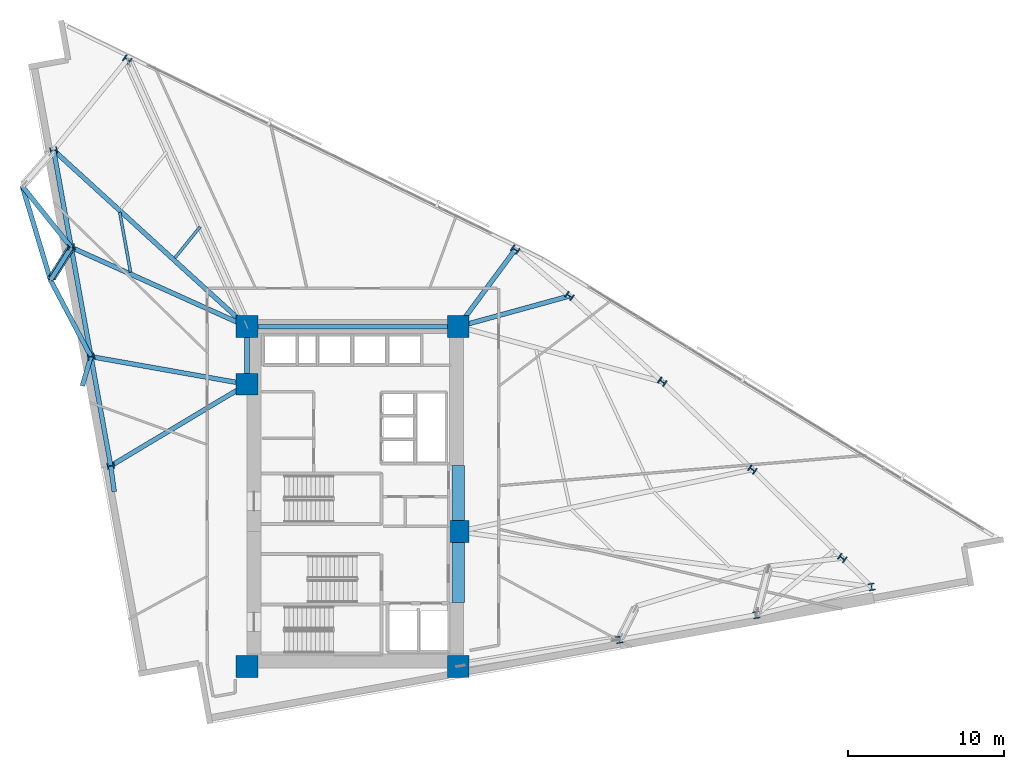
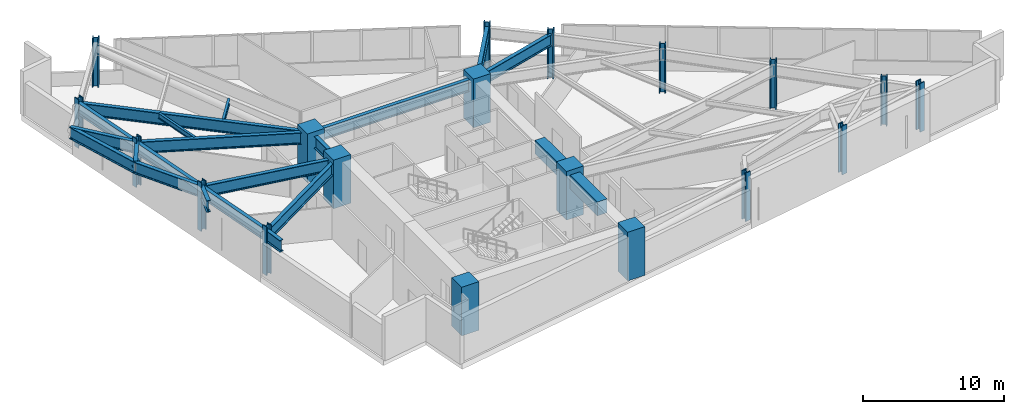
# One storey, part 1 of 19: 21 beams, 19 columns, 1 member.
"""IFC4 building model written with IfcOpenShell, lengths in metres."""

from ifc_helpers import new_model, si_unit, direction, frame, origin, origin_2d, place, context, subcontext, project, spatial, rectangle, hollow_circle, i_section, extrude, material, material_profile, profile_set, type_object, element, save


model = new_model("IFC4")

# Units and contexts
model_context = context("Model", 3, precision=1e-05, world=origin(), true_north=direction((0.0, 1.0)))
body_context = subcontext(model_context, "Body", "Model", "MODEL_VIEW")
ifc_project = project(units=[si_unit("LENGTHUNIT", "METRE"), si_unit("AREAUNIT", "SQUARE_METRE"), si_unit("VOLUMEUNIT", "CUBIC_METRE"), si_unit("PLANEANGLEUNIT", "RADIAN"), si_unit("MASSUNIT", "GRAM", prefix="KILO")], contexts=[model_context])

# Site, building, storey
site_placement = place(None, origin())
site = spatial("IfcSite", under=ifc_project, at=site_placement, CompositionType="ELEMENT")
building_placement = place(site_placement, origin())
building = spatial("IfcBuilding", under=site, at=building_placement, Name="Narakoshi Arena Tower", CompositionType="ELEMENT")
storey_placement = place(building_placement, frame((0.0, 0.0, 128.10009765625)))
storey = spatial("IfcBuildingStorey", under=building, at=storey_placement, Name="L34", CompositionType="ELEMENT", Elevation=128.10009765625)

# Columns
ifc_material_1 = material(Name="Concrete C60/75", Category="concrete")
ifc_material_profile_1 = material_profile(ifc_material_1, rectangle(XDim=1.39990234375, YDim=1.39990234375, at=origin_2d()), Name="RC1400x1400")
ifc_profile_set_1 = profile_set([ifc_material_profile_1], Name="Concrete C60/75")
column_type_1 = type_object("IfcColumnType", Name="COL-RC1400", PredefinedType="COLUMN", material=ifc_profile_set_1)
for number, where, z_axis, x_axis, name in (
    (1, (72.0, 34.699951171875, 0.0), (0.0, 0.0, 1.0), (1.0, 0.0, 0.0), "L34 Core Structural Column CC1"),
    (2, (85.550048828125, 34.699951171875, 0.0), (0.0, 0.0, 1.0), (1.0, 0.0, 0.0), "L34 Core Structural Column CC2"),
    (3, (85.550048828125, 43.35009765625, 0.0), (0.0, 0.0, 1.0), (1.0, 0.0, 0.0), "L34 Core Structural Column CC3"),
    (4, (72.0, 52.800048828125, 0.0), (0.0, 0.0, 1.0), (1.0, 0.0, 0.0), "L34 Core Structural Column CC4"),
    (5, (72.0, 56.5, 0.0), (0.0, 0.0, 1.0), (1.0, 0.0, 0.0), "L34 Core Structural Column CC5"),
    (6, (85.550048828125, 56.5, 0.0), (0.0, 0.0, 1.0), (1.0, 0.0, 0.0), "L34 Core Structural Column CC6"),
):
    element("IfcColumn", number, at=place(storey_placement, frame(where, z_axis=z_axis, x_axis=x_axis)), inside=storey, type_object=column_type_1, Name=name, PredefinedType="COLUMN", context=body_context, shape_type="SweptSolid", body=[
        extrude(rectangle(XDim=1.39990234375, YDim=1.39990234375, at=origin_2d()), origin(), (0.0, 0.0, 1.0), 4.199951171875),
    ])
ifc_material_2 = material(Name="Structural steel S460ML", Category="steel")
ifc_material_profile_2 = material_profile(ifc_material_2, i_section(OverallWidth=0.424072265625, OverallDepth=0.47412109375, WebThickness=0.047607421875, FlangeThickness=0.076904296875, FilletRadius=0.014892578125, at=origin_2d()), Name="HD400x634")
ifc_profile_set_2 = profile_set([ifc_material_profile_2], Name="Structural steel S460ML")
column_type_2 = type_object("IfcColumnType", Name="COL-STL634", PredefinedType="COLUMN", material=ifc_profile_set_2)
for number, where, z_axis, x_axis, name in (
    (7, (95.89013671875, 36.411865234375, 0.0), (0.0, 0.0, 1.0), (0.984040697646, 0.177943545474, 0.0), "L34 Tower Perimeter Column TC02"),
    (8, (104.681396484375, 38.00146484375, 0.0), (0.0, 0.0, 1.0), (0.984040697646, 0.177943545474, 0.0), "L34 Tower Perimeter Column TC03"),
    (9, (112.0703125, 39.7978515625, 0.0), (0.0, 0.0, 1.0), (0.984040697646, 0.177943545474, 0.0), "L34 Tower Perimeter Column TC04"),
    (10, (110.189208984375, 41.650146484375, 0.0), (0.0, 0.0, 1.0), (0.569996762596, 0.821646937942, 0.0), "L34 Tower Perimeter Column TC05"),
    (11, (104.42041015625, 47.33056640625, 0.0), (0.0, 0.0, 1.0), (0.569996762596, 0.821646937942, 0.0), "L34 Tower Perimeter Column TC06"),
    (12, (98.641357421875, 52.95849609375, 0.0), (0.0, 0.0, 1.0), (0.569996762596, 0.821646937942, 0.0), "L34 Tower Perimeter Column TC07"),
    (13, (92.68994140625, 58.462890625, 0.0), (0.0, 0.0, 1.0), (0.569996762596, 0.821646937942, 0.0), "L34 Tower Perimeter Column TC08"),
    (14, (89.206787109375, 61.437744140625, 0.0), (0.0, 0.0, 1.0), (0.569996762596, 0.821646937942, 0.0), "L34 Tower Perimeter Column TC09"),
    (15, (64.31787109375, 73.633056640625, 0.0), (0.0, 0.0, 1.0), (0.569996762596, 0.821646937942, 0.0), "L34 Tower Perimeter Column TC11"),
    (16, (59.593505859375, 67.81591796875, 0.0), (0.0, 0.0, 1.0), (-0.177943545474, 0.984040697646, 0.0), "L34 Tower Perimeter Column TC13"),
    (17, (60.72021484375, 61.585205078125, 0.0), (0.0, 0.0, 1.0), (-0.177943545474, 0.984040697646, 0.0), "L34 Tower Perimeter Column TC14"),
    (18, (61.98779296875, 54.575439453125, 0.0), (0.0, 0.0, 1.0), (-0.177943545474, 0.984040697646, 0.0), "L34 Tower Perimeter Column TC15"),
    (19, (63.25537109375, 47.56591796875, 0.0), (0.0, 0.0, 1.0), (-0.177943545474, 0.984040697646, 0.0), "L34 Tower Perimeter Column TC16"),
):
    element("IfcColumn", number, at=place(storey_placement, frame(where, z_axis=z_axis, x_axis=x_axis)), inside=storey, type_object=column_type_2, Name=name, PredefinedType="COLUMN", context=body_context, shape_type="SweptSolid", body=[
        extrude(i_section(OverallWidth=0.424072265625, OverallDepth=0.47412109375, WebThickness=0.047607421875, FlangeThickness=0.076904296875, FilletRadius=0.014892578125, at=origin_2d()), origin(), (0.0, 0.0, 1.0), 4.199951171875),
    ])

# Beams
ifc_material_profile_3 = material_profile(ifc_material_1, rectangle(XDim=0.800048828125, YDim=1.199951171875, at=origin_2d()), Name="RCB800x1200")
ifc_profile_set_3 = profile_set([ifc_material_profile_3], Name="Concrete C60/75")
beam_type_1 = type_object("IfcBeamType", Name="BM-CPL-1200", PredefinedType="LINTEL", material=ifc_profile_set_3)
beam_1_placement = place(storey_placement, frame((85.550048828125, 38.800048828125, 3.199951171875), z_axis=(0.0, 1.0, 0.0), x_axis=(-1.0, 0.0, 0.0)))
element("IfcBeam", 20, at=beam_1_placement, inside=storey, type_object=beam_type_1, Name="L34 Core Seismic Coupling Beam 1", PredefinedType="LINTEL", context=body_context, shape_type="SweptSolid", body=[
    extrude(rectangle(XDim=0.800048828125, YDim=1.199951171875, at=origin_2d()), origin(), (0.0, 0.0, 1.0), 4.550048828125),
])
beam_2_placement = place(storey_placement, frame((85.550048828125, 43.35009765625, 3.199951171875), z_axis=(0.0, 1.0, 0.0), x_axis=(-1.0, 0.0, 0.0)))
element("IfcBeam", 21, at=beam_2_placement, inside=storey, type_object=beam_type_1, Name="L34 Core Seismic Coupling Beam 2", PredefinedType="LINTEL", context=body_context, shape_type="SweptSolid", body=[
    extrude(rectangle(XDim=0.800048828125, YDim=1.199951171875, at=origin_2d()), origin(), (0.0, 0.0, 1.0), 4.25),
])
ifc_material_3 = material(Name="Structural steel S355J2", Category="steel")
ifc_material_profile_4 = material_profile(ifc_material_3, i_section(OverallWidth=0.18994140625, OverallDepth=0.449951171875, WebThickness=0.009521484375, FlangeThickness=0.0146484375, FilletRadius=0.02099609375, at=origin_2d()), Name="IPE450")
ifc_profile_set_4 = profile_set([ifc_material_profile_4], Name="Structural steel S355J2")
beam_type_2 = type_object("IfcBeamType", Name="BM-SEC-450", PredefinedType="JOIST", material=ifc_profile_set_4)
beam_3_placement = place(storey_placement, frame((68.99560546875, 62.90576171875, 3.574951171875), z_axis=(-0.630407193219, -0.776264626746, 0.0), x_axis=(0.776264626746, -0.630407193219, 0.0)))
element("IfcBeam", 22, at=beam_3_placement, inside=storey, type_object=beam_type_2, Name="L34 Composite Secondary Floor Joist 05", PredefinedType="JOIST", context=body_context, shape_type="SweptSolid", body=[
    extrude(i_section(OverallWidth=0.18994140625, OverallDepth=0.449951171875, WebThickness=0.009521484375, FlangeThickness=0.0146484375, FilletRadius=0.02099609375, at=origin_2d()), origin(), (0.0, 0.0, 1.0), 2.57763671875),
])
beam_4_placement = place(storey_placement, frame((63.835693359375, 63.835693359375, 3.574951171875), z_axis=(0.177934538445, -0.98404232634, 0.0), x_axis=(0.98404232634, 0.177934538445, 0.0)))
element("IfcBeam", 23, at=beam_4_placement, inside=storey, type_object=beam_type_2, Name="L34 Composite Secondary Floor Joist 07", PredefinedType="JOIST", context=body_context, shape_type="SweptSolid", body=[
    extrude(i_section(OverallWidth=0.18994140625, OverallDepth=0.449951171875, WebThickness=0.009521484375, FlangeThickness=0.0146484375, FilletRadius=0.02099609375, at=origin_2d()), origin(), (0.0, 0.0, 1.0), 3.9091796875),
])
ifc_material_profile_5 = material_profile(ifc_material_2, i_section(OverallWidth=0.302001953125, OverallDepth=1.008056640625, WebThickness=0.02099609375, FlangeThickness=0.0400390625, FilletRadius=0.030029296875, at=origin_2d()), Name="HE1000M")
ifc_profile_set_5 = profile_set([ifc_material_profile_5], Name="Structural steel S460ML")
beam_type_3 = type_object("IfcBeamType", Name="BM-XFER-1000", PredefinedType="BEAM", material=ifc_profile_set_5)
beam_5_placement = place(storey_placement, frame((59.593505859375, 67.81591796875, 3.2958984375), z_axis=(0.177945465207, -0.9840403505, 0.0), x_axis=(0.9840403505, 0.177945465207, 0.0)))
element("IfcBeam", 24, at=beam_5_placement, inside=storey, type_object=beam_type_3, Name="L34 Perimeter Transfer Ring Girder 10", PredefinedType="BEAM", context=body_context, shape_type="SweptSolid", body=[
    extrude(i_section(OverallWidth=0.302001953125, OverallDepth=1.008056640625, WebThickness=0.02099609375, FlangeThickness=0.0400390625, FilletRadius=0.030029296875, at=origin_2d()), origin(), (0.0, 0.0, 1.0), 6.331787109375),
])
beam_6_placement = place(storey_placement, frame((60.72021484375, 61.585205078125, 3.2958984375), z_axis=(0.177944362466, -0.98404054991, 0.0), x_axis=(0.98404054991, 0.177944362466, 0.0)))
element("IfcBeam", 25, at=beam_6_placement, inside=storey, type_object=beam_type_3, Name="L34 Perimeter Transfer Ring Girder 11", PredefinedType="BEAM", context=body_context, shape_type="SweptSolid", body=[
    extrude(i_section(OverallWidth=0.302001953125, OverallDepth=1.008056640625, WebThickness=0.02099609375, FlangeThickness=0.0400390625, FilletRadius=0.030029296875, at=origin_2d()), origin(), (0.0, 0.0, 1.0), 7.12353515625),
])
beam_7_placement = place(storey_placement, frame((61.98779296875, 54.575439453125, 3.2958984375), z_axis=(0.177950363985, -0.984039464634, 0.0), x_axis=(0.984039464634, 0.177950363985, 0.0)))
element("IfcBeam", 26, at=beam_7_placement, inside=storey, type_object=beam_type_3, Name="L34 Perimeter Transfer Ring Girder 12", PredefinedType="BEAM", context=body_context, shape_type="SweptSolid", body=[
    extrude(i_section(OverallWidth=0.302001953125, OverallDepth=1.008056640625, WebThickness=0.02099609375, FlangeThickness=0.0400390625, FilletRadius=0.030029296875, at=origin_2d()), origin(), (0.0, 0.0, 1.0), 7.123291015625),
])
beam_8_placement = place(storey_placement, frame((85.550048828125, 56.5, 3.2958984375), z_axis=(0.964225409977, 0.265083682551, 0.0), x_axis=(-0.265083682551, 0.964225409977, 0.0)))
element("IfcBeam", 27, at=beam_8_placement, inside=storey, type_object=beam_type_3, Name="L34 Lower Transfer Radial Girder 07", PredefinedType="BEAM", context=body_context, shape_type="SweptSolid", body=[
    extrude(i_section(OverallWidth=0.302001953125, OverallDepth=1.008056640625, WebThickness=0.02099609375, FlangeThickness=0.0400390625, FilletRadius=0.030029296875, at=origin_2d()), origin(), (0.0, 0.0, 1.0), 7.40478515625),
])
beam_9_placement = place(storey_placement, frame((85.550048828125, 56.5, 3.2958984375), z_axis=(0.595138224279, 0.803623353321, 0.0), x_axis=(-0.803623353321, 0.595138224279, 0.0)))
element("IfcBeam", 28, at=beam_9_placement, inside=storey, type_object=beam_type_3, Name="L34 Lower Transfer Radial Girder 08", PredefinedType="BEAM", context=body_context, shape_type="SweptSolid", body=[
    extrude(i_section(OverallWidth=0.302001953125, OverallDepth=1.008056640625, WebThickness=0.02099609375, FlangeThickness=0.0400390625, FilletRadius=0.030029296875, at=origin_2d()), origin(), (0.0, 0.0, 1.0), 6.144287109375),
])
beam_10_placement = place(storey_placement, frame((72.0, 52.800048828125, 3.2958984375), z_axis=(-0.984639647685, 0.174598866568, 0.0), x_axis=(-0.174598866568, -0.984639647685, 0.0)))
element("IfcBeam", 29, at=beam_10_placement, inside=storey, type_object=beam_type_3, Name="L34 Lower Transfer Radial Girder 12", PredefinedType="BEAM", context=body_context, shape_type="SweptSolid", body=[
    extrude(i_section(OverallWidth=0.302001953125, OverallDepth=1.008056640625, WebThickness=0.02099609375, FlangeThickness=0.0400390625, FilletRadius=0.030029296875, at=origin_2d()), origin(), (0.0, 0.0, 1.0), 10.16845703125),
])
beam_11_placement = place(storey_placement, frame((72.0, 52.800048828125, 3.2958984375), z_axis=(-0.858039895053, -0.513583039534, 0.0), x_axis=(0.513583039534, -0.858039895053, 0.0)))
element("IfcBeam", 30, at=beam_11_placement, inside=storey, type_object=beam_type_3, Name="L34 Lower Transfer Radial Girder 13", PredefinedType="BEAM", context=body_context, shape_type="SweptSolid", body=[
    extrude(i_section(OverallWidth=0.302001953125, OverallDepth=1.008056640625, WebThickness=0.02099609375, FlangeThickness=0.0400390625, FilletRadius=0.030029296875, at=origin_2d()), origin(), (0.0, 0.0, 1.0), 10.19140625),
])
beam_12_placement = place(storey_placement, frame((60.72021484375, 61.585205078125, 3.2958984375), z_axis=(-0.624428525299, 0.781081952674, 0.0), x_axis=(-0.781081952674, -0.624428525299, 0.0)))
element("IfcBeam", 31, at=beam_12_placement, inside=storey, type_object=beam_type_3, Name="L34 Block-Turn Transfer Node Girder 10-2", PredefinedType="BEAM", context=body_context, shape_type="SweptSolid", body=[
    extrude(i_section(OverallWidth=0.302001953125, OverallDepth=1.008056640625, WebThickness=0.02099609375, FlangeThickness=0.0400390625, FilletRadius=0.030029296875, at=origin_2d()), origin(), (0.0, 0.0, 1.0), 5.027587890625),
])
beam_13_placement = place(storey_placement, frame((60.72021484375, 61.585205078125, 3.2958984375), z_axis=(-0.532662191912, -0.846327944303, 0.0), x_axis=(0.846327944303, -0.532662191912, 0.0)))
element("IfcBeam", 32, at=beam_13_placement, inside=storey, type_object=beam_type_3, Name="L34 Block-Turn Transfer Node Girder 11-1", PredefinedType="BEAM", context=body_context, shape_type="SweptSolid", body=[
    extrude(i_section(OverallWidth=0.302001953125, OverallDepth=1.008056640625, WebThickness=0.02099609375, FlangeThickness=0.0400390625, FilletRadius=0.030029296875, at=origin_2d()), origin(), (0.0, 0.0, 1.0), 2.486083984375),
])
beam_14_placement = place(storey_placement, frame((61.98779296875, 54.575439453125, 3.2958984375), z_axis=(-0.46713141831, 0.884187897467, 0.0), x_axis=(-0.884187897467, -0.46713141831, 0.0)))
element("IfcBeam", 33, at=beam_14_placement, inside=storey, type_object=beam_type_3, Name="L34 Block-Turn Transfer Node Girder 11-2", PredefinedType="BEAM", context=body_context, shape_type="SweptSolid", body=[
    extrude(i_section(OverallWidth=0.302001953125, OverallDepth=1.008056640625, WebThickness=0.02099609375, FlangeThickness=0.0400390625, FilletRadius=0.030029296875, at=origin_2d()), origin(), (0.0, 0.0, 1.0), 5.54833984375),
])
beam_15_placement = place(storey_placement, frame((61.98779296875, 54.575439453125, 3.2958984375), z_axis=(-0.280809109584, -0.95976363964, 0.0), x_axis=(0.95976363964, -0.280809109584, 0.0)))
element("IfcBeam", 34, at=beam_15_placement, inside=storey, type_object=beam_type_3, Name="L34 Block-Turn Transfer Node Girder 12-1", PredefinedType="BEAM", context=body_context, shape_type="SweptSolid", body=[
    extrude(i_section(OverallWidth=0.302001953125, OverallDepth=1.008056640625, WebThickness=0.02099609375, FlangeThickness=0.0400390625, FilletRadius=0.030029296875, at=origin_2d()), origin(), (0.0, 0.0, 1.0), 1.9580078125),
])
beam_16_placement = place(storey_placement, frame((63.25537109375, 47.56591796875, 3.2958984375), z_axis=(0.134538908895, -0.990908311598, 0.0), x_axis=(0.990908311598, 0.134538908895, 0.0)))
element("IfcBeam", 35, at=beam_16_placement, inside=storey, type_object=beam_type_3, Name="L34 Block-Turn Transfer Node Girder 13-1", PredefinedType="BEAM", context=body_context, shape_type="SweptSolid", body=[
    extrude(i_section(OverallWidth=0.302001953125, OverallDepth=1.008056640625, WebThickness=0.02099609375, FlangeThickness=0.0400390625, FilletRadius=0.030029296875, at=origin_2d()), origin(), (0.0, 0.0, 1.0), 1.66943359375),
])
beam_17_placement = place(storey_placement, frame((57.580810546875, 65.51220703125, 3.2958984375), z_axis=(0.288204829742, -0.957568784011, 0.0), x_axis=(0.957568784011, 0.288204829742, 0.0)))
element("IfcBeam", 36, at=beam_17_placement, inside=storey, type_object=beam_type_3, Name="L34 Upper-Block Transfer Ring Girder 10", PredefinedType="BEAM", context=body_context, shape_type="SweptSolid", body=[
    extrude(i_section(OverallWidth=0.302001953125, OverallDepth=1.008056640625, WebThickness=0.02099609375, FlangeThickness=0.0400390625, FilletRadius=0.030029296875, at=origin_2d()), origin(), (0.0, 0.0, 1.0), 6.29833984375),
])
beam_18_placement = place(storey_placement, frame((72.0, 56.5, 3.2958984375), z_axis=(-0.738833839277, 0.673887644893, 0.0), x_axis=(-0.673887644893, -0.738833839277, 0.0)))
element("IfcBeam", 37, at=beam_18_placement, inside=storey, type_object=beam_type_3, Name="L34 Radial Primary Floor Girder 10", PredefinedType="BEAM", context=body_context, shape_type="SweptSolid", body=[
    extrude(i_section(OverallWidth=0.302001953125, OverallDepth=1.008056640625, WebThickness=0.02099609375, FlangeThickness=0.0400390625, FilletRadius=0.030029296875, at=origin_2d()), origin(), (0.0, 0.0, 1.0), 16.7919921875),
])
beam_19_placement = place(storey_placement, frame((72.0, 56.5, 3.2958984375), z_axis=(-0.911639961566, 0.410989757142, 0.0), x_axis=(-0.410989757142, -0.911639961566, 0.0)))
element("IfcBeam", 38, at=beam_19_placement, inside=storey, type_object=beam_type_3, Name="L34 Radial Primary Floor Girder 11", PredefinedType="BEAM", context=body_context, shape_type="SweptSolid", body=[
    extrude(i_section(OverallWidth=0.302001953125, OverallDepth=1.008056640625, WebThickness=0.02099609375, FlangeThickness=0.0400390625, FilletRadius=0.030029296875, at=origin_2d()), origin(), (0.0, 0.0, 1.0), 12.373046875),
])
beam_20_placement = place(storey_placement, frame((72.0, 52.800048828125, 3.2958984375), z_axis=(0.0, 1.0, 0.0), x_axis=(-1.0, 0.0, 0.0)))
element("IfcBeam", 39, at=beam_20_placement, inside=storey, type_object=beam_type_3, Name="L34 Core Perimeter Frame Beam CC4-CC5", PredefinedType="BEAM", context=body_context, shape_type="SweptSolid", body=[
    extrude(i_section(OverallWidth=0.302001953125, OverallDepth=1.008056640625, WebThickness=0.02099609375, FlangeThickness=0.0400390625, FilletRadius=0.030029296875, at=origin_2d()), origin(), (0.0, 0.0, 1.0), 3.699951171875),
])
beam_21_placement = place(storey_placement, frame((72.0, 56.5, 3.2958984375), z_axis=(1.0, 0.0, 0.0), x_axis=(0.0, 1.0, 0.0)))
element("IfcBeam", 40, at=beam_21_placement, inside=storey, type_object=beam_type_3, Name="L34 Core Perimeter Frame Beam CC5-CC6", PredefinedType="BEAM", context=body_context, shape_type="SweptSolid", body=[
    extrude(i_section(OverallWidth=0.302001953125, OverallDepth=1.008056640625, WebThickness=0.02099609375, FlangeThickness=0.0400390625, FilletRadius=0.030029296875, at=origin_2d()), origin(), (0.0, 0.0, 1.0), 13.550048828125),
])

# Member
ifc_material_profile_6 = material_profile(ifc_material_2, hollow_circle(Radius=0.25390625, WallThickness=0.02001953125, at=origin_2d()), Name="CHS508x20")
ifc_profile_set_6 = profile_set([ifc_material_profile_6], Name="Structural steel S460ML")
member_type = type_object("IfcMemberType", Name="MEM-BLT-508", PredefinedType="BRACE", material=ifc_profile_set_6)
member_placement = place(storey_placement, frame((60.624267578125, 61.432861328125, 2.5498046875), z_axis=(-0.502568038476, -0.798604235353, 0.331144442773), x_axis=(0.846355552087, -0.532618324366, 0.0)))
element("IfcMember", 41, at=member_placement, inside=storey, type_object=member_type, Name="L34 Perimeter Belt-Truss Diagonal 11", PredefinedType="BRACE", context=body_context, shape_type="SweptSolid", body=[
    extrude(hollow_circle(Radius=0.25390625, WallThickness=0.02001953125, at=origin_2d()), origin(), (0.0, 0.0, 1.0), 2.253173828125),
])

save(model, "model.ifc")
